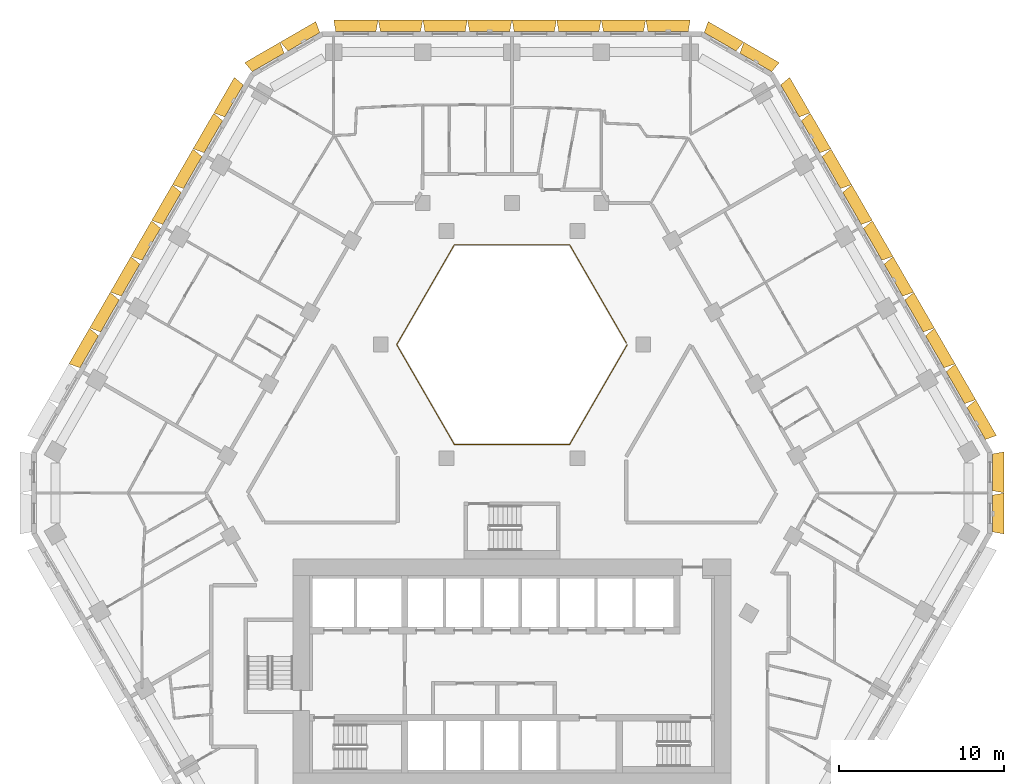
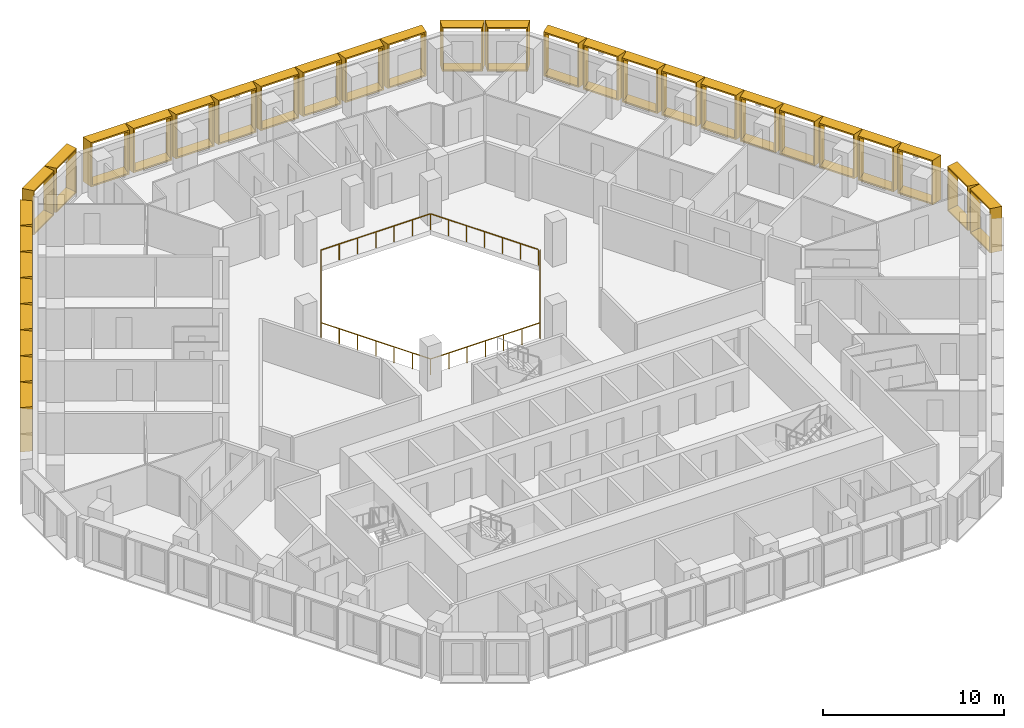
# One storey, part 18 of 18: 32 shading devices, 1 railing.
"""IFC4 building model written with IfcOpenShell, lengths in metres."""

from ifc_helpers import new_model, entity, si_unit, direction, frame, origin, origin_2d, place, context, subcontext, project, spatial, rectangle, extrude, source, transform, mapped, material, type_object, type_shapes, element, save


model = new_model("IFC4")

# Units and contexts
model_context = context("Model", 3, precision=1e-05, world=origin(), true_north=direction((0.0, 1.0)))
body_context = subcontext(model_context, "Body", "Model", "MODEL_VIEW")
ifc_project = project(units=[si_unit("LENGTHUNIT", "METRE"), si_unit("AREAUNIT", "SQUARE_METRE"), si_unit("VOLUMEUNIT", "CUBIC_METRE"), si_unit("PLANEANGLEUNIT", "RADIAN"), si_unit("MASSUNIT", "GRAM", prefix="KILO")], contexts=[model_context])

# Site, building, storey
site_placement = place(None, origin())
site = spatial("IfcSite", under=ifc_project, at=site_placement, CompositionType="ELEMENT")
building_placement = place(site_placement, origin())
building = spatial("IfcBuilding", under=site, at=building_placement, Name="Beryl Residences", CompositionType="ELEMENT")
storey_placement = place(building_placement, frame((0.0, 0.0, 75.0)))
storey = spatial("IfcBuildingStorey", under=building, at=storey_placement, Name="L22", CompositionType="ELEMENT", Elevation=75.0)

# Railing
ifc_material_1 = material(Name="Stainless steel balustrade with glass infill", Category="steel")
railing_type = type_object("IfcRailingType", Name="EG1 edge guard 1100 mm", PredefinedType="GUARDRAIL", material=ifc_material_1)
railing_placement = place(storey_placement, frame((6.9970703125, 8.0, 0.0)))
element("IfcRailing", 1, at=railing_placement, inside=storey, type_object=railing_type, Name="L22 atrium guard", PredefinedType="GUARDRAIL", context=body_context, shape_type="SweptSolid", body=[
    extrude(rectangle(XDim=0.048095703125, YDim=0.048095703125, at=origin_2d()), frame((0.0, 0.0, 1.076171875), z_axis=(-0.499921796684, -0.866070549782, 0.0), x_axis=(0.866070549782, -0.499921796684, 0.0)), (0.0, 0.0, 1.0), 6.9970703125),
    extrude(rectangle(XDim=0.048095703125, YDim=0.048095703125, at=origin_2d()), frame((-3.498046875, -6.06005859375, 1.076171875), z_axis=(-1.0, 0.0, 0.0), x_axis=(0.0, -1.0, 0.0)), (0.0, 0.0, 1.0), 6.998046875),
    extrude(rectangle(XDim=0.048095703125, YDim=0.048095703125, at=origin_2d()), frame((-10.49609375, -6.06005859375, 1.076171875), z_axis=(-0.499921796684, 0.866070549782, 0.0), x_axis=(-0.866070549782, -0.499921796684, 0.0)), (0.0, 0.0, 1.0), 6.9970703125),
    extrude(rectangle(XDim=0.048095703125, YDim=0.048095703125, at=origin_2d()), frame((-13.994140625, 0.0, 1.076171875), z_axis=(0.499921796684, 0.866070549782, 0.0), x_axis=(-0.866070549782, 0.499921796684, 0.0)), (0.0, 0.0, 1.0), 6.9970703125),
    extrude(rectangle(XDim=0.048095703125, YDim=0.048095703125, at=origin_2d()), frame((-10.49609375, 6.06005859375, 1.076171875), z_axis=(1.0, 0.0, 0.0), x_axis=(0.0, 1.0, 0.0)), (0.0, 0.0, 1.0), 6.998046875),
    extrude(rectangle(XDim=0.048095703125, YDim=0.048095703125, at=origin_2d()), frame((-3.498046875, 6.06005859375, 1.076171875), z_axis=(0.499919131929, -0.866072087953, 0.0), x_axis=(0.866072087953, 0.499919131929, 0.0)), (0.0, 0.0, 1.0), 6.877197265625),
    extrude(rectangle(XDim=0.0419921875, YDim=0.0419921875, at=origin_2d()), origin(), (0.0, 0.0, 1.0), 1.052001953125),
    extrude(rectangle(XDim=0.0419921875, YDim=0.0419921875, at=origin_2d()), frame((-0.5830078125, -1.010009765625, 0.0)), (0.0, 0.0, 1.0), 1.052001953125),
    extrude(rectangle(XDim=0.0419921875, YDim=0.0419921875, at=origin_2d()), frame((-1.166015625, -2.02001953125, 0.0)), (0.0, 0.0, 1.0), 1.052001953125),
    extrude(rectangle(XDim=0.0419921875, YDim=0.0419921875, at=origin_2d()), frame((-1.7490234375, -3.030029296875, 0.0)), (0.0, 0.0, 1.0), 1.052001953125),
    extrude(rectangle(XDim=0.0419921875, YDim=0.0419921875, at=origin_2d()), frame((-2.33203125, -4.0400390625, 0.0)), (0.0, 0.0, 1.0), 1.052001953125),
    extrude(rectangle(XDim=0.0419921875, YDim=0.0419921875, at=origin_2d()), frame((-2.9150390625, -5.050048828125, 0.0)), (0.0, 0.0, 1.0), 1.052001953125),
    extrude(rectangle(XDim=0.0419921875, YDim=0.0419921875, at=origin_2d()), frame((-3.498046875, -6.06005859375, 0.0)), (0.0, 0.0, 1.0), 1.052001953125),
    extrude(rectangle(XDim=0.0419921875, YDim=0.0419921875, at=origin_2d()), frame((-4.664306640625, -6.06005859375, 0.0)), (0.0, 0.0, 1.0), 1.052001953125),
    extrude(rectangle(XDim=0.0419921875, YDim=0.0419921875, at=origin_2d()), frame((-5.830810546875, -6.06005859375, 0.0)), (0.0, 0.0, 1.0), 1.052001953125),
    extrude(rectangle(XDim=0.0419921875, YDim=0.0419921875, at=origin_2d()), frame((-6.9970703125, -6.06005859375, 0.0)), (0.0, 0.0, 1.0), 1.052001953125),
    extrude(rectangle(XDim=0.0419921875, YDim=0.0419921875, at=origin_2d()), frame((-8.163330078125, -6.06005859375, 0.0)), (0.0, 0.0, 1.0), 1.052001953125),
    extrude(rectangle(XDim=0.0419921875, YDim=0.0419921875, at=origin_2d()), frame((-9.329833984375, -6.06005859375, 0.0)), (0.0, 0.0, 1.0), 1.052001953125),
    extrude(rectangle(XDim=0.0419921875, YDim=0.0419921875, at=origin_2d()), frame((-10.49609375, -6.06005859375, 0.0)), (0.0, 0.0, 1.0), 1.052001953125),
    extrude(rectangle(XDim=0.0419921875, YDim=0.0419921875, at=origin_2d()), frame((-11.0791015625, -5.050048828125, 0.0)), (0.0, 0.0, 1.0), 1.052001953125),
    extrude(rectangle(XDim=0.0419921875, YDim=0.0419921875, at=origin_2d()), frame((-11.662109375, -4.0400390625, 0.0)), (0.0, 0.0, 1.0), 1.052001953125),
    extrude(rectangle(XDim=0.0419921875, YDim=0.0419921875, at=origin_2d()), frame((-12.2451171875, -3.030029296875, 0.0)), (0.0, 0.0, 1.0), 1.052001953125),
    extrude(rectangle(XDim=0.0419921875, YDim=0.0419921875, at=origin_2d()), frame((-12.828125, -2.02001953125, 0.0)), (0.0, 0.0, 1.0), 1.052001953125),
    extrude(rectangle(XDim=0.0419921875, YDim=0.0419921875, at=origin_2d()), frame((-13.4111328125, -1.010009765625, 0.0)), (0.0, 0.0, 1.0), 1.052001953125),
    extrude(rectangle(XDim=0.0419921875, YDim=0.0419921875, at=origin_2d()), frame((-13.994140625, 0.0, 0.0)), (0.0, 0.0, 1.0), 1.052001953125),
    extrude(rectangle(XDim=0.0419921875, YDim=0.0419921875, at=origin_2d()), frame((-13.4111328125, 1.010009765625, 0.0)), (0.0, 0.0, 1.0), 1.052001953125),
    extrude(rectangle(XDim=0.0419921875, YDim=0.0419921875, at=origin_2d()), frame((-12.828125, 2.02001953125, 0.0)), (0.0, 0.0, 1.0), 1.052001953125),
    extrude(rectangle(XDim=0.0419921875, YDim=0.0419921875, at=origin_2d()), frame((-12.2451171875, 3.030029296875, 0.0)), (0.0, 0.0, 1.0), 1.052001953125),
    extrude(rectangle(XDim=0.0419921875, YDim=0.0419921875, at=origin_2d()), frame((-11.662109375, 4.0400390625, 0.0)), (0.0, 0.0, 1.0), 1.052001953125),
    extrude(rectangle(XDim=0.0419921875, YDim=0.0419921875, at=origin_2d()), frame((-11.0791015625, 5.050048828125, 0.0)), (0.0, 0.0, 1.0), 1.052001953125),
    extrude(rectangle(XDim=0.0419921875, YDim=0.0419921875, at=origin_2d()), frame((-10.49609375, 6.06005859375, 0.0)), (0.0, 0.0, 1.0), 1.052001953125),
    extrude(rectangle(XDim=0.0419921875, YDim=0.0419921875, at=origin_2d()), frame((-9.329833984375, 6.06005859375, 0.0)), (0.0, 0.0, 1.0), 1.052001953125),
    extrude(rectangle(XDim=0.0419921875, YDim=0.0419921875, at=origin_2d()), frame((-8.163330078125, 6.06005859375, 0.0)), (0.0, 0.0, 1.0), 1.052001953125),
    extrude(rectangle(XDim=0.0419921875, YDim=0.0419921875, at=origin_2d()), frame((-6.9970703125, 6.06005859375, 0.0)), (0.0, 0.0, 1.0), 1.052001953125),
    extrude(rectangle(XDim=0.0419921875, YDim=0.0419921875, at=origin_2d()), frame((-5.830810546875, 6.06005859375, 0.0)), (0.0, 0.0, 1.0), 1.052001953125),
    extrude(rectangle(XDim=0.0419921875, YDim=0.0419921875, at=origin_2d()), frame((-4.664306640625, 6.06005859375, 0.0)), (0.0, 0.0, 1.0), 1.052001953125),
    extrude(rectangle(XDim=0.0419921875, YDim=0.0419921875, at=origin_2d()), frame((-3.498046875, 6.06005859375, 0.0)), (0.0, 0.0, 1.0), 1.052001953125),
    extrude(rectangle(XDim=0.0419921875, YDim=0.0419921875, at=origin_2d()), frame((-2.925048828125, 5.0673828125, 0.0)), (0.0, 0.0, 1.0), 1.052001953125),
    extrude(rectangle(XDim=0.0419921875, YDim=0.0419921875, at=origin_2d()), frame((-2.35205078125, 4.07470703125, 0.0)), (0.0, 0.0, 1.0), 1.052001953125),
    extrude(rectangle(XDim=0.0419921875, YDim=0.0419921875, at=origin_2d()), frame((-1.779052734375, 3.08203125, 0.0)), (0.0, 0.0, 1.0), 1.052001953125),
    extrude(rectangle(XDim=0.0419921875, YDim=0.0419921875, at=origin_2d()), frame((-1.2060546875, 2.08935546875, 0.0)), (0.0, 0.0, 1.0), 1.052001953125),
    extrude(rectangle(XDim=0.0419921875, YDim=0.0419921875, at=origin_2d()), frame((-0.633056640625, 1.0966796875, 0.0)), (0.0, 0.0, 1.0), 1.052001953125),
    extrude(rectangle(XDim=0.0419921875, YDim=0.0419921875, at=origin_2d()), frame((-0.06005859375, 0.10400390625, 0.0)), (0.0, 0.0, 1.0), 1.052001953125),
])

# Shading devices
ifc_material_2 = material(Name="Aluminium pale anodised", Category="aluminium")
shading_device_type_1 = type_object("IfcShadingDeviceType", Name="FR250-70A OUTER SKIN frame 700 mm deep, splay 10/10 deg, 2500 x 3000 mm cell", PredefinedType="USERDEFINED", material=ifc_material_2)
cartesian_point_1 = entity("IfcCartesianPoint", [-1.116455078125, 0.0])
cartesian_point_2 = entity("IfcCartesianPoint", [-1.03515625, 0.10009765625])
cartesian_point_3 = entity("IfcCartesianPoint", [-1.239990234375, 0.0])
cartesian_point_4 = entity("IfcCartesianPoint", [-1.15869140625, 0.10009765625])
shared_shape_1 = source(origin(), body_context, "Body", "SweptSolid", [
    entity("IfcExtrudedAreaSolidTapered", entity("IfcArbitraryProfileDefWithVoids", "AREA", None, entity("IfcPolyline", [cartesian_point_1, entity("IfcCartesianPoint", [1.116455078125, 0.0]), entity("IfcCartesianPoint", [1.116455078125, 3.0]), entity("IfcCartesianPoint", [-1.116455078125, 3.0]), cartesian_point_1]), [entity("IfcPolyline", [cartesian_point_2, entity("IfcCartesianPoint", [1.03515625, 0.10009765625]), entity("IfcCartesianPoint", [1.03515625, 2.89990234375]), entity("IfcCartesianPoint", [-1.03515625, 2.89990234375]), cartesian_point_2])]), entity("IfcAxis2Placement3D", entity("IfcCartesianPoint", [0.0, 0.0, 0.0]), entity("IfcDirection", [0.0, 1.0, 0.0]), entity("IfcDirection", [-1.0, 0.0, 0.0])), entity("IfcDirection", [0.0, 0.0, 1.0]), 0.699951171875, entity("IfcArbitraryProfileDefWithVoids", "AREA", None, entity("IfcPolyline", [cartesian_point_3, entity("IfcCartesianPoint", [1.239990234375, 0.0]), entity("IfcCartesianPoint", [1.239990234375, 3.0]), entity("IfcCartesianPoint", [-1.239990234375, 3.0]), cartesian_point_3]), [entity("IfcPolyline", [cartesian_point_4, entity("IfcCartesianPoint", [1.15869140625, 0.10009765625]), entity("IfcCartesianPoint", [1.15869140625, 2.89990234375]), entity("IfcCartesianPoint", [-1.15869140625, 2.89990234375]), cartesian_point_4])])),
])
type_shapes(shading_device_type_1, [shared_shape_1])
for number, where, z_axis, x_axis, name in (
    (2, (-12.6298828125, 26.375, 0.0), (0.0, 0.0, 1.0), (0.866025403784, 0.5, 0.0), "FR250-70A frame L22 N-NW 1"),
    (3, (-14.7939453125, 25.125, 0.0), (0.0, 0.0, 1.0), (0.866025403784, 0.5, 0.0), "FR250-70A frame L22 N-NW 2"),
    (4, (29.156982421875, -2.25, 0.0), (0.0, 0.0, 1.0), (0.0, -1.0, 0.0), "FR250-70A frame L22 SE-NE 1"),
    (5, (29.156982421875, 0.25, 0.0), (0.0, 0.0, 1.0), (0.0, -1.0, 0.0), "FR250-70A frame L22 SE-NE 2"),
    (6, (14.7939453125, 25.125, 0.0), (0.0, 0.0, 1.0), (0.866025403784, -0.5, 0.0), "FR250-70A frame L22 NE-N 1"),
    (7, (12.6298828125, 26.375, 0.0), (0.0, 0.0, 1.0), (0.866025403784, -0.5, 0.0), "FR250-70A frame L22 NE-N 2"),
):
    element("IfcShadingDevice", number, at=place(storey_placement, frame(where, z_axis=z_axis, x_axis=x_axis)), inside=storey, type_object=shading_device_type_1, Name=name, ObjectType="OUTER SKIN", PredefinedType="USERDEFINED", context=body_context, shape_type="MappedRepresentation", body=[
        mapped(shared_shape_1, transform((0.0, 0.0, 0.0))),
    ])
ifc_material_3 = material(Name="Aluminium pale anodised", Category="aluminium")
shading_device_type_2 = type_object("IfcShadingDeviceType", Name="FR251-70A OUTER SKIN frame 700 mm deep, splay 10/10 deg, 2510 x 3000 mm cell", PredefinedType="USERDEFINED", material=ifc_material_3)
cartesian_point_5 = entity("IfcCartesianPoint", [-1.12158203125, 0.0])
cartesian_point_6 = entity("IfcCartesianPoint", [-1.040283203125, 0.10009765625])
cartesian_point_7 = entity("IfcCartesianPoint", [-1.244873046875, 0.0])
cartesian_point_8 = entity("IfcCartesianPoint", [-1.16357421875, 0.10009765625])
shared_shape_2 = source(origin(), body_context, "Body", "SweptSolid", [
    entity("IfcExtrudedAreaSolidTapered", entity("IfcArbitraryProfileDefWithVoids", "AREA", None, entity("IfcPolyline", [cartesian_point_5, entity("IfcCartesianPoint", [1.12158203125, 0.0]), entity("IfcCartesianPoint", [1.12158203125, 3.0]), entity("IfcCartesianPoint", [-1.12158203125, 3.0]), cartesian_point_5]), [entity("IfcPolyline", [cartesian_point_6, entity("IfcCartesianPoint", [1.040283203125, 0.10009765625]), entity("IfcCartesianPoint", [1.040283203125, 2.89990234375]), entity("IfcCartesianPoint", [-1.040283203125, 2.89990234375]), cartesian_point_6])]), entity("IfcAxis2Placement3D", entity("IfcCartesianPoint", [0.0, 0.0, 0.0]), entity("IfcDirection", [0.0, 1.0, 0.0]), entity("IfcDirection", [-1.0, 0.0, 0.0])), entity("IfcDirection", [0.0, 0.0, 1.0]), 0.699951171875, entity("IfcArbitraryProfileDefWithVoids", "AREA", None, entity("IfcPolyline", [cartesian_point_7, entity("IfcCartesianPoint", [1.244873046875, 0.0]), entity("IfcCartesianPoint", [1.244873046875, 3.0]), entity("IfcCartesianPoint", [-1.244873046875, 3.0]), cartesian_point_7]), [entity("IfcPolyline", [cartesian_point_8, entity("IfcCartesianPoint", [1.16357421875, 0.10009765625]), entity("IfcCartesianPoint", [1.16357421875, 2.89990234375]), entity("IfcCartesianPoint", [-1.16357421875, 2.89990234375]), cartesian_point_8])])),
])
type_shapes(shading_device_type_2, [shared_shape_2])
for number, where, z_axis, x_axis, name in (
    (8, (-16.865966796875, 22.7880859375, 0.0), (0.0, 0.0, 1.0), (0.5, 0.866025403784, 0.0), "FR251-70A frame L22 NW 1"),
    (9, (-18.1220703125, 20.613037109375, 0.0), (0.0, 0.0, 1.0), (0.5, 0.866025403784, 0.0), "FR251-70A frame L22 NW 2"),
    (10, (-19.376953125, 18.43798828125, 0.0), (0.0, 0.0, 1.0), (0.5, 0.866025403784, 0.0), "FR251-70A frame L22 NW 3"),
    (11, (-20.633056640625, 16.262939453125, 0.0), (0.0, 0.0, 1.0), (0.5, 0.866025403784, 0.0), "FR251-70A frame L22 NW 4"),
    (12, (-21.888916015625, 14.087890625, 0.0), (0.0, 0.0, 1.0), (0.5, 0.866025403784, 0.0), "FR251-70A frame L22 NW 5"),
    (13, (-23.14501953125, 11.9130859375, 0.0), (0.0, 0.0, 1.0), (0.5, 0.866025403784, 0.0), "FR251-70A frame L22 NW 6"),
    (14, (-24.39990234375, 9.738037109375, 0.0), (0.0, 0.0, 1.0), (0.5, 0.866025403784, 0.0), "FR251-70A frame L22 NW 7"),
    (15, (-25.656005859375, 7.56298828125, 0.0), (0.0, 0.0, 1.0), (0.5, 0.866025403784, 0.0), "FR251-70A frame L22 NW 8"),
    (16, (28.16796875, 3.2119140625, 0.0), (0.0, 0.0, 1.0), (0.5, -0.866025403784, 0.0), "FR251-70A frame L22 NE 1"),
    (17, (26.912109375, 5.386962890625, 0.0), (0.0, 0.0, 1.0), (0.5, -0.866025403784, 0.0), "FR251-70A frame L22 NE 2"),
    (18, (25.656982421875, 7.56201171875, 0.0), (0.0, 0.0, 1.0), (0.5, -0.866025403784, 0.0), "FR251-70A frame L22 NE 3"),
    (19, (24.40087890625, 9.737060546875, 0.0), (0.0, 0.0, 1.0), (0.5, -0.866025403784, 0.0), "FR251-70A frame L22 NE 4"),
    (20, (23.14501953125, 11.912109375, 0.0), (0.0, 0.0, 1.0), (0.5, -0.866025403784, 0.0), "FR251-70A frame L22 NE 5"),
    (21, (21.888916015625, 14.0869140625, 0.0), (0.0, 0.0, 1.0), (0.5, -0.866025403784, 0.0), "FR251-70A frame L22 NE 6"),
    (22, (20.634033203125, 16.261962890625, 0.0), (0.0, 0.0, 1.0), (0.5, -0.866025403784, 0.0), "FR251-70A frame L22 NE 7"),
    (23, (19.3779296875, 18.43701171875, 0.0), (0.0, 0.0, 1.0), (0.5, -0.866025403784, 0.0), "FR251-70A frame L22 NE 8"),
    (24, (18.1220703125, 20.612060546875, 0.0), (0.0, 0.0, 1.0), (0.5, -0.866025403784, 0.0), "FR251-70A frame L22 NE 9"),
    (25, (16.865966796875, 22.787109375, 0.0), (0.0, 0.0, 1.0), (0.5, -0.866025403784, 0.0), "FR251-70A frame L22 NE 10"),
):
    element("IfcShadingDevice", number, at=place(storey_placement, frame(where, z_axis=z_axis, x_axis=x_axis)), inside=storey, type_object=shading_device_type_2, Name=name, ObjectType="OUTER SKIN", PredefinedType="USERDEFINED", context=body_context, shape_type="MappedRepresentation", body=[
        mapped(shared_shape_2, transform((0.0, 0.0, 0.0))),
    ])
ifc_material_4 = material(Name="Aluminium pale anodised", Category="aluminium")
shading_device_type_3 = type_object("IfcShadingDeviceType", Name="FR271-70A OUTER SKIN frame 700 mm deep, splay 10/10 deg, 2710 x 3000 mm cell", PredefinedType="USERDEFINED", material=ifc_material_4)
cartesian_point_9 = entity("IfcCartesianPoint", [-1.221435546875, 0.0])
cartesian_point_10 = entity("IfcCartesianPoint", [-1.140380859375, 0.10009765625])
cartesian_point_11 = entity("IfcCartesianPoint", [-1.344970703125, 0.0])
cartesian_point_12 = entity("IfcCartesianPoint", [-1.263671875, 0.10009765625])
shared_shape_3 = source(origin(), body_context, "Body", "SweptSolid", [
    entity("IfcExtrudedAreaSolidTapered", entity("IfcArbitraryProfileDefWithVoids", "AREA", None, entity("IfcPolyline", [cartesian_point_9, entity("IfcCartesianPoint", [1.221435546875, 0.0]), entity("IfcCartesianPoint", [1.221435546875, 3.0]), entity("IfcCartesianPoint", [-1.221435546875, 3.0]), cartesian_point_9]), [entity("IfcPolyline", [cartesian_point_10, entity("IfcCartesianPoint", [1.140380859375, 0.10009765625]), entity("IfcCartesianPoint", [1.140380859375, 2.89990234375]), entity("IfcCartesianPoint", [-1.140380859375, 2.89990234375]), cartesian_point_10])]), entity("IfcAxis2Placement3D", entity("IfcCartesianPoint", [0.0, 0.0, 0.0]), entity("IfcDirection", [0.0, 1.0, 0.0]), entity("IfcDirection", [-1.0, 0.0, 0.0])), entity("IfcDirection", [0.0, 0.0, 1.0]), 0.699951171875, entity("IfcArbitraryProfileDefWithVoids", "AREA", None, entity("IfcPolyline", [cartesian_point_11, entity("IfcCartesianPoint", [1.344970703125, 0.0]), entity("IfcCartesianPoint", [1.344970703125, 3.0]), entity("IfcCartesianPoint", [-1.344970703125, 3.0]), cartesian_point_11]), [entity("IfcPolyline", [cartesian_point_12, entity("IfcCartesianPoint", [1.263671875, 0.10009765625]), entity("IfcCartesianPoint", [1.263671875, 2.89990234375]), entity("IfcCartesianPoint", [-1.263671875, 2.89990234375]), cartesian_point_12])])),
])
type_shapes(shading_device_type_3, [shared_shape_3])
for number, where, z_axis, x_axis, name in (
    (26, (9.471923828125, 27.0, 0.0), (0.0, 0.0, 1.0), (1.0, 0.0, 0.0), "FR271-70A frame L22 N 1"),
    (27, (6.764892578125, 27.0, 0.0), (0.0, 0.0, 1.0), (1.0, 0.0, 0.0), "FR271-70A frame L22 N 2"),
    (28, (4.05908203125, 27.0, 0.0), (0.0, 0.0, 1.0), (1.0, 0.0, 0.0), "FR271-70A frame L22 N 3"),
    (29, (1.35205078125, 27.0, 0.0), (0.0, 0.0, 1.0), (1.0, 0.0, 0.0), "FR271-70A frame L22 N 4"),
    (30, (-1.35400390625, 27.0, 0.0), (0.0, 0.0, 1.0), (1.0, 0.0, 0.0), "FR271-70A frame L22 N 5"),
    (31, (-4.06103515625, 27.0, 0.0), (0.0, 0.0, 1.0), (1.0, 0.0, 0.0), "FR271-70A frame L22 N 6"),
    (32, (-6.76708984375, 27.0, 0.0), (0.0, 0.0, 1.0), (1.0, 0.0, 0.0), "FR271-70A frame L22 N 7"),
    (33, (-9.47412109375, 27.0, 0.0), (0.0, 0.0, 1.0), (1.0, 0.0, 0.0), "FR271-70A frame L22 N 8"),
):
    element("IfcShadingDevice", number, at=place(storey_placement, frame(where, z_axis=z_axis, x_axis=x_axis)), inside=storey, type_object=shading_device_type_3, Name=name, ObjectType="OUTER SKIN", PredefinedType="USERDEFINED", context=body_context, shape_type="MappedRepresentation", body=[
        mapped(shared_shape_3, transform((0.0, 0.0, 0.0))),
    ])

save(model, "model.ifc")
